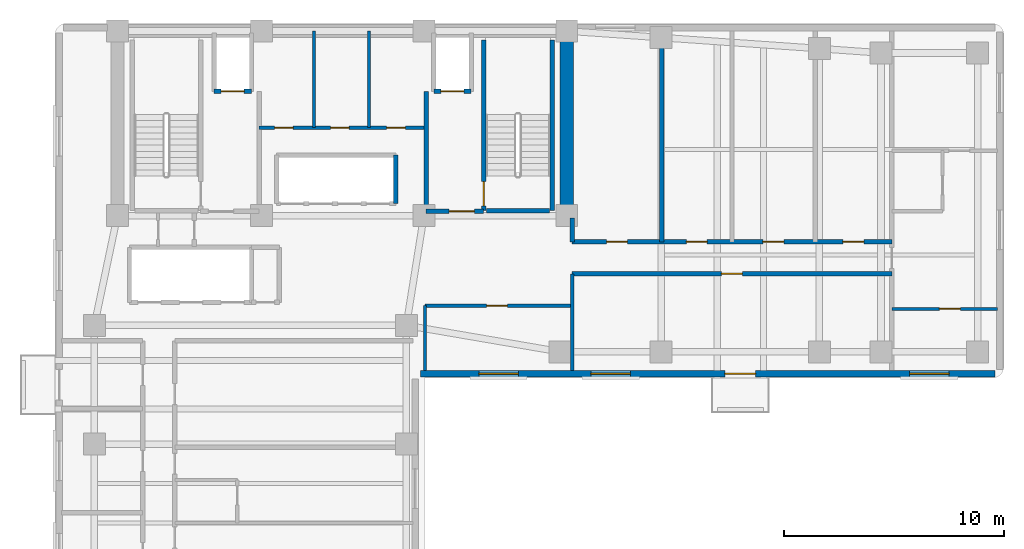
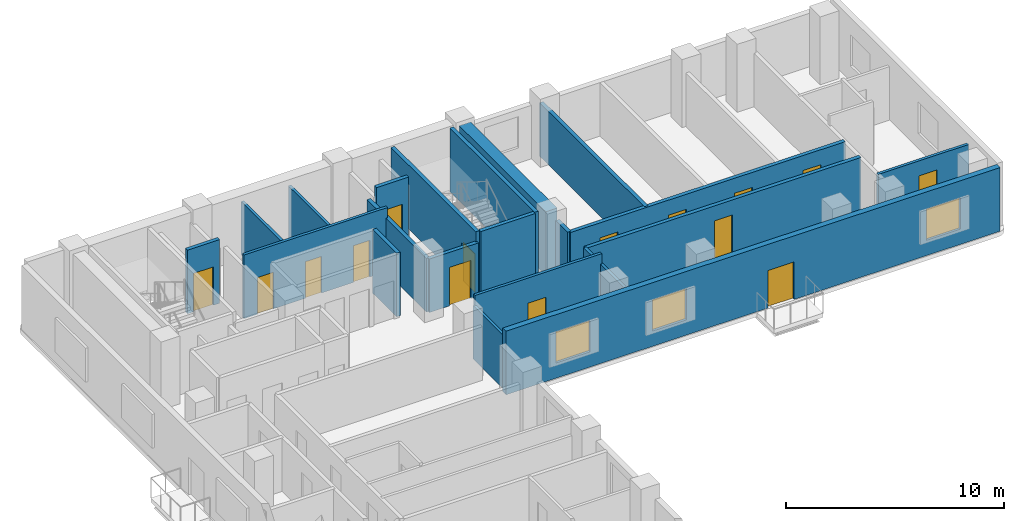
# One storey, part 4 of 7: 21 walls, 15 doors, 3 windows, 18 openings.
"""IFC4 building model written with IfcOpenShell, lengths in metres."""

from ifc_helpers import new_model, si_unit, direction, frame, frame_2d, origin, place, context, subcontext, project, spatial, rectangle, extrude, material, layer, layer_set, type_object, element, fill, save


model = new_model("IFC4")

# Units and contexts
model_context = context("Model", 3, precision=1e-05, world=origin(), true_north=direction((0.0, 1.0)))
body_context = subcontext(model_context, "Body", "Model", "MODEL_VIEW")
ifc_project = project(units=[si_unit("LENGTHUNIT", "METRE"), si_unit("AREAUNIT", "SQUARE_METRE"), si_unit("VOLUMEUNIT", "CUBIC_METRE"), si_unit("PLANEANGLEUNIT", "RADIAN"), si_unit("MASSUNIT", "GRAM", prefix="KILO")], contexts=[model_context])

# Site, building, storey
site_placement = place(None, origin())
site = spatial("IfcSite", under=ifc_project, at=site_placement, CompositionType="ELEMENT")
building_placement = place(site_placement, origin())
building = spatial("IfcBuilding", under=site, at=building_placement, Name="Kuzgunbayir Cultural Tower", CompositionType="ELEMENT")
storey_placement = place(building_placement, frame((0.0, 0.0, 152.199951171875)))
storey = spatial("IfcBuildingStorey", under=building, at=storey_placement, Name="L44", CompositionType="ELEMENT", Elevation=152.199951171875)

# Wall
ifc_material_1 = material(Name="Concrete C60/75", Category="concrete")
ifc_layer_1 = layer(ifc_material_1, 0.60009765625)
ifc_layer_set_1 = layer_set([ifc_layer_1], Name="Concrete C60/75")
wall_type_1 = type_object("IfcWallType", Name="WAL-CORE-600", PredefinedType="SHEAR", material=ifc_layer_set_1)
wall_1_placement = place(storey_placement, frame((26.89990234375, 33.800048828125, 0.0), z_axis=(0.0, 0.0, 1.0), x_axis=(0.0, 1.0, 0.0)))
element("IfcWall", 1, at=wall_1_placement, inside=storey, type_object=wall_type_1, Name="L44 T1 Core East Shear Wall", PredefinedType="SHEAR", context=body_context, shape_type="SweptSolid", body=[
    extrude(rectangle(XDim=7.949951171875, YDim=0.60009765625, at=frame_2d((3.97509765625, 0.0))), origin(), (0.0, 0.0, 1.0), 3.56005859375),
])

# Wall, openings, door, windows
ifc_material_2 = material(Name="Anatolian Cream Limestone", Category="masonry")
ifc_layer_2 = layer(ifc_material_2, 0.300048828125)
ifc_layer_set_2 = layer_set([ifc_layer_2], Name="Anatolian Cream Limestone")
wall_type_2 = type_object("IfcWallType", Name="WAL-EXT-STONE-300", PredefinedType="STANDARD", material=ifc_layer_set_2)
wall_2_placement = place(storey_placement, frame((20.25, 26.60009765625, 0.0), z_axis=(0.0, 0.0, 1.0), x_axis=(1.0, 0.0, 0.0)))
wall_2 = element("IfcWall", 2, at=wall_2_placement, inside=storey, type_object=wall_type_2, Name="L44 Wing B South Limestone Wall", PredefinedType="STANDARD", context=body_context, shape_type="SweptSolid", body=[
    extrude(rectangle(XDim=26.14990234375, YDim=0.300048828125, at=frame_2d((13.074951171875, 0.0))), origin(), (0.0, 0.0, 1.0), 3.56005859375),
])
opening_1_placement = place(wall_2_placement, frame((13.85009765625, 0.0, 0.0)))
opening_1 = element("IfcOpeningElement", 3, at=opening_1_placement, cuts=wall_2, Name="Opening BD-15", PredefinedType="OPENING", context=body_context, shape_type="SweptSolid", body=[
    extrude(rectangle(XDim=1.39990234375, YDim=2.10009765625, at=frame_2d((0.699951171875, 1.050048828125))), frame((0.0, 0.16015625, 0.0), z_axis=(0.0, -1.0, 0.0), x_axis=(1.0, 0.0, 0.0)), (0.0, 0.0, 1.0), 0.320068359375),
])
opening_2_placement = place(wall_2_placement, frame((2.64990234375, 0.0, 0.85009765625)))
opening_2 = element("IfcOpeningElement", 4, at=opening_2_placement, cuts=wall_2, Name="Opening WH-18", PredefinedType="OPENING", context=body_context, shape_type="SweptSolid", body=[
    extrude(rectangle(XDim=1.800048828125, YDim=1.75, at=frame_2d((0.89990234375, 0.875))), frame((0.0, 0.16015625, 0.0), z_axis=(0.0, -1.0, 0.0), x_axis=(1.0, 0.0, 0.0)), (0.0, 0.0, 1.0), 0.320068359375),
])
opening_3_placement = place(wall_2_placement, frame((7.75, 0.0, 0.85009765625)))
opening_3 = element("IfcOpeningElement", 5, at=opening_3_placement, cuts=wall_2, Name="Opening WH-18", PredefinedType="OPENING", context=body_context, shape_type="SweptSolid", body=[
    extrude(rectangle(XDim=1.800048828125, YDim=1.75, at=frame_2d((0.89990234375, 0.875))), frame((0.0, 0.16015625, 0.0), z_axis=(0.0, -1.0, 0.0), x_axis=(1.0, 0.0, 0.0)), (0.0, 0.0, 1.0), 0.320068359375),
])
opening_4_placement = place(wall_2_placement, frame((22.25, 0.0, 0.85009765625)))
opening_4 = element("IfcOpeningElement", 6, at=opening_4_placement, cuts=wall_2, Name="Opening WH-18", PredefinedType="OPENING", context=body_context, shape_type="SweptSolid", body=[
    extrude(rectangle(XDim=1.800048828125, YDim=1.75, at=frame_2d((0.89990234375, 0.875))), frame((0.0, 0.16015625, 0.0), z_axis=(0.0, -1.0, 0.0), x_axis=(1.0, 0.0, 0.0)), (0.0, 0.0, 1.0), 0.320068359375),
])
ifc_material_3 = material(Name="Thermally Broken Glazed Aluminium", Category="aluminium")
door_type_1 = type_object("IfcDoorType", Name="DR-BALCONY-150", OperationType="SLIDING_TO_RIGHT", PredefinedType="DOOR", material=ifc_material_3)
door_1_placement = place(opening_1_placement, origin())
door_1 = element("IfcDoor", 7, at=door_1_placement, inside=storey, type_object=door_type_1, Name="L44 South Balcony Sliding Door BAL-L44-WB2", OperationType="SLIDING_TO_RIGHT", OverallHeight=2.10009765625, OverallWidth=1.39990234375, PredefinedType="DOOR", context=body_context, shape_type="SweptSolid", body=[
    extrude(rectangle(XDim=1.39990234375, YDim=2.10009765625, at=frame_2d((0.699951171875, 1.050048828125))), frame((0.0, 0.02490234375, 0.0), z_axis=(0.0, -1.0, 0.0), x_axis=(1.0, 0.0, 0.0)), (0.0, 0.0, 1.0), 0.050048828125),
])
fill(opening_1, door_1)
ifc_material_4 = material(Name="Solar-Control Triple Glazing", Category="glass")
window_type = type_object("IfcWindowType", Name="WIN-HOTEL-18", PartitioningType="SINGLE_PANEL", PredefinedType="WINDOW", material=ifc_material_4)
window_1_placement = place(opening_2_placement, origin())
window_1 = element("IfcWindow", 8, at=window_1_placement, inside=storey, type_object=window_type, Name="L44 WBS Facade Window 1", OverallHeight=1.75, OverallWidth=1.800048828125, PartitioningType="SINGLE_PANEL", PredefinedType="WINDOW", context=body_context, shape_type="SweptSolid", body=[
    extrude(rectangle(XDim=1.800048828125, YDim=1.75, at=frame_2d((0.89990234375, 0.875))), frame((0.0, 0.030029296875, 0.0), z_axis=(0.0, -1.0, 0.0), x_axis=(1.0, 0.0, 0.0)), (0.0, 0.0, 1.0), 0.06005859375),
])
fill(opening_2, window_1)
window_2_placement = place(opening_3_placement, origin())
window_2 = element("IfcWindow", 9, at=window_2_placement, inside=storey, type_object=window_type, Name="L44 WBS Facade Window 14", OverallHeight=1.75, OverallWidth=1.800048828125, PartitioningType="SINGLE_PANEL", PredefinedType="WINDOW", context=body_context, shape_type="SweptSolid", body=[
    extrude(rectangle(XDim=1.800048828125, YDim=1.75, at=frame_2d((0.89990234375, 0.875))), frame((0.0, 0.030029296875, 0.0), z_axis=(0.0, -1.0, 0.0), x_axis=(1.0, 0.0, 0.0)), (0.0, 0.0, 1.0), 0.06005859375),
])
fill(opening_3, window_2)
window_3_placement = place(opening_4_placement, origin())
window_3 = element("IfcWindow", 10, at=window_3_placement, inside=storey, type_object=window_type, Name="L44 WBS Facade Window 15", OverallHeight=1.75, OverallWidth=1.800048828125, PartitioningType="SINGLE_PANEL", PredefinedType="WINDOW", context=body_context, shape_type="SweptSolid", body=[
    extrude(rectangle(XDim=1.800048828125, YDim=1.75, at=frame_2d((0.89990234375, 0.875))), frame((0.0, 0.030029296875, 0.0), z_axis=(0.0, -1.0, 0.0), x_axis=(1.0, 0.0, 0.0)), (0.0, 0.0, 1.0), 0.06005859375),
])
fill(opening_4, window_3)

# Wall, openings, doors
ifc_material_5 = material(Name="Acoustic Double-Stud Drywall", Category="gypsum")
ifc_layer_3 = layer(ifc_material_5, 0.14990234375)
ifc_layer_set_3 = layer_set([ifc_layer_3], Name="Acoustic Double-Stud Drywall")
wall_type_3 = type_object("IfcWallType", Name="WAL-PART-ACOUSTIC-150", PredefinedType="PARTITIONING", material=ifc_layer_set_3)
wall_3_placement = place(storey_placement, frame((12.89990234375, 37.800048828125, 0.0), z_axis=(0.0, 0.0, 1.0), x_axis=(1.0, 0.0, 0.0)))
wall_3 = element("IfcWall", 11, at=wall_3_placement, inside=storey, type_object=wall_type_3, Name="L44 Repurposed Core Suite Wall", PredefinedType="PARTITIONING", context=body_context, shape_type="SweptSolid", body=[
    extrude(rectangle(XDim=7.60009765625, YDim=0.14990234375, at=frame_2d((3.800048828125, 0.0))), origin(), (0.0, 0.0, 1.0), 3.56005859375),
])
opening_5_placement = place(wall_3_placement, frame((0.699951171875, 0.0, 0.0)))
opening_5 = element("IfcOpeningElement", 12, at=opening_5_placement, cuts=wall_3, Name="Opening DC-85", PredefinedType="OPENING", context=body_context, shape_type="SweptSolid", body=[
    extrude(rectangle(XDim=0.85009765625, YDim=2.050048828125, at=frame_2d((0.425048828125, 1.02490234375))), frame((0.0, 0.0849609375, 0.0), z_axis=(0.0, -1.0, 0.0), x_axis=(1.0, 0.0, 0.0)), (0.0, 0.0, 1.0), 0.169921875),
])
opening_6_placement = place(wall_3_placement, frame((3.25, 0.0, 0.0)))
opening_6 = element("IfcOpeningElement", 13, at=opening_6_placement, cuts=wall_3, Name="Opening DC-85", PredefinedType="OPENING", context=body_context, shape_type="SweptSolid", body=[
    extrude(rectangle(XDim=0.85009765625, YDim=2.050048828125, at=frame_2d((0.425048828125, 1.02490234375))), frame((0.0, 0.0849609375, 0.0), z_axis=(0.0, -1.0, 0.0), x_axis=(1.0, 0.0, 0.0)), (0.0, 0.0, 1.0), 0.169921875),
])
opening_7_placement = place(wall_3_placement, frame((5.800048828125, 0.0, 0.0)))
opening_7 = element("IfcOpeningElement", 14, at=opening_7_placement, cuts=wall_3, Name="Opening DC-85", PredefinedType="OPENING", context=body_context, shape_type="SweptSolid", body=[
    extrude(rectangle(XDim=0.85009765625, YDim=2.050048828125, at=frame_2d((0.425048828125, 1.02490234375))), frame((0.0, 0.0849609375, 0.0), z_axis=(0.0, -1.0, 0.0), x_axis=(1.0, 0.0, 0.0)), (0.0, 0.0, 1.0), 0.169921875),
])
ifc_material_6 = material(Name="Fire-Rated Veneered Oak Leaf", Category="wood")
door_type_2 = type_object("IfcDoorType", Name="DR-CORE-85", OperationType="NOTDEFINED", PredefinedType="DOOR", material=ifc_material_6)
door_2_placement = place(opening_5_placement, origin())
door_2 = element("IfcDoor", 15, at=door_2_placement, inside=storey, type_object=door_type_2, Name="L44 Phone Booth Door", OperationType="SINGLE_SWING_RIGHT", OverallHeight=2.050048828125, OverallWidth=0.85009765625, PredefinedType="DOOR", context=body_context, shape_type="SweptSolid", body=[
    extrude(rectangle(XDim=0.85009765625, YDim=2.050048828125, at=frame_2d((0.425048828125, 1.02490234375))), frame((0.0, 0.02490234375, 0.0), z_axis=(0.0, -1.0, 0.0), x_axis=(1.0, 0.0, 0.0)), (0.0, 0.0, 1.0), 0.050048828125),
])
fill(opening_5, door_2)
door_3_placement = place(opening_6_placement, origin())
door_3 = element("IfcDoor", 16, at=door_3_placement, inside=storey, type_object=door_type_2, Name="L44 Pantry Alcove Door", OperationType="SINGLE_SWING_LEFT", OverallHeight=2.050048828125, OverallWidth=0.85009765625, PredefinedType="DOOR", context=body_context, shape_type="SweptSolid", body=[
    extrude(rectangle(XDim=0.85009765625, YDim=2.050048828125, at=frame_2d((0.425048828125, 1.02490234375))), frame((0.0, 0.02490234375, 0.0), z_axis=(0.0, -1.0, 0.0), x_axis=(1.0, 0.0, 0.0)), (0.0, 0.0, 1.0), 0.050048828125),
])
fill(opening_6, door_3)
door_4_placement = place(opening_7_placement, origin())
door_4 = element("IfcDoor", 17, at=door_4_placement, inside=storey, type_object=door_type_2, Name="L44 Telecom Closet Door", OperationType="SINGLE_SWING_RIGHT", OverallHeight=2.050048828125, OverallWidth=0.85009765625, PredefinedType="DOOR", context=body_context, shape_type="SweptSolid", body=[
    extrude(rectangle(XDim=0.85009765625, YDim=2.050048828125, at=frame_2d((0.425048828125, 1.02490234375))), frame((0.0, 0.02490234375, 0.0), z_axis=(0.0, -1.0, 0.0), x_axis=(1.0, 0.0, 0.0)), (0.0, 0.0, 1.0), 0.050048828125),
])
fill(opening_7, door_4)

# Walls
for number, where, z_axis, x_axis, name in (
    (18, (15.39990234375, 37.800048828125, 0.0), (0.0, 0.0, 1.0), (0.0, 1.0, 0.0), "L44 Core Pod Partition 1"),
    (19, (17.89990234375, 37.800048828125, 0.0), (0.0, 0.0, 1.0), (0.0, 1.0, 0.0), "L44 Core Pod Partition 2"),
):
    element("IfcWall", number, at=place(storey_placement, frame(where, z_axis=z_axis, x_axis=x_axis)), inside=storey, type_object=wall_type_3, Name=name, PredefinedType="PARTITIONING", context=body_context, shape_type="SweptSolid", body=[
        extrude(rectangle(XDim=4.39990234375, YDim=0.14990234375, at=frame_2d((2.199951171875, 0.0))), origin(), (0.0, 0.0, 1.0), 2.989990234375),
    ])

# Wall, opening, door
wall_4_placement = place(storey_placement, frame((20.449951171875, 29.699951171875, 0.0), z_axis=(0.0, 0.0, 1.0), x_axis=(1.0, 0.0, 0.0)))
wall_4 = element("IfcWall", 20, at=wall_4_placement, inside=storey, type_object=wall_type_3, Name="L44 Waist Alcove North Wall", PredefinedType="PARTITIONING", context=body_context, shape_type="SweptSolid", body=[
    extrude(rectangle(XDim=6.699951171875, YDim=0.14990234375, at=frame_2d((3.35009765625, 0.0))), origin(), (0.0, 0.0, 1.0), 3.56005859375),
])
opening_8_placement = place(wall_4_placement, frame((2.800048828125, 0.0, 0.0)))
opening_8 = element("IfcOpeningElement", 21, at=opening_8_placement, cuts=wall_4, Name="Opening DI-90", PredefinedType="OPENING", context=body_context, shape_type="SweptSolid", body=[
    extrude(rectangle(XDim=0.949951171875, YDim=2.14990234375, at=frame_2d((0.47509765625, 1.074951171875))), frame((0.0, 0.0849609375, 0.0), z_axis=(0.0, -1.0, 0.0), x_axis=(1.0, 0.0, 0.0)), (0.0, 0.0, 1.0), 0.169921875),
])
ifc_material_7 = material(Name="Veneered Oak Single Leaf", Category="wood")
door_type_3 = type_object("IfcDoorType", Name="DR-INT-90", OperationType="NOTDEFINED", PredefinedType="DOOR", material=ifc_material_7)
door_5_placement = place(opening_8_placement, origin())
door_5 = element("IfcDoor", 22, at=door_5_placement, inside=storey, type_object=door_type_3, Name="L44 Waist Alcove Door", OperationType="SINGLE_SWING_RIGHT", OverallHeight=2.14990234375, OverallWidth=0.949951171875, PredefinedType="DOOR", context=body_context, shape_type="SweptSolid", body=[
    extrude(rectangle(XDim=0.949951171875, YDim=2.14990234375, at=frame_2d((0.47509765625, 1.074951171875))), frame((0.0, 0.02490234375, 0.0), z_axis=(0.0, -1.0, 0.0), x_axis=(1.0, 0.0, 0.0)), (0.0, 0.0, 1.0), 0.050048828125),
])
fill(opening_8, door_5)

# Walls
wall_5_placement = place(storey_placement, frame((20.449951171875, 26.75, 0.0), z_axis=(0.0, 0.0, 1.0), x_axis=(0.0, 1.0, 0.0)))
element("IfcWall", 23, at=wall_5_placement, inside=storey, type_object=wall_type_3, Name="L44 Waist Alcove West Wall", PredefinedType="PARTITIONING", context=body_context, shape_type="SweptSolid", body=[
    extrude(rectangle(XDim=2.949951171875, YDim=0.14990234375, at=frame_2d((1.47509765625, 0.0))), origin(), (0.0, 0.0, 1.0), 2.989990234375),
])
wall_6_placement = place(storey_placement, frame((27.14990234375, 26.75, 0.0), z_axis=(0.0, 0.0, 1.0), x_axis=(0.0, 1.0, 0.0)))
element("IfcWall", 24, at=wall_6_placement, inside=storey, type_object=wall_type_3, Name="L44 Waist Alcove East Wall", PredefinedType="PARTITIONING", context=body_context, shape_type="SweptSolid", body=[
    extrude(rectangle(XDim=4.39990234375, YDim=0.14990234375, at=frame_2d((2.199951171875, 0.0))), origin(), (0.0, 0.0, 1.0), 2.989990234375),
])
ifc_material_8 = material(Name="Aerated Concrete Blockwork", Category="masonry")
ifc_layer_4 = layer(ifc_material_8, 0.199951171875)
ifc_layer_set_4 = layer_set([ifc_layer_4], Name="Aerated Concrete Blockwork")
wall_type_4 = type_object("IfcWallType", Name="WAL-PART-FIRE-200", PredefinedType="PARTITIONING", material=ifc_layer_set_4)
wall_7_placement = place(storey_placement, frame((20.5, 34.0, 0.0), z_axis=(0.0, 0.0, 1.0), x_axis=(0.0, 1.0, 0.0)))
element("IfcWall", 25, at=wall_7_placement, inside=storey, type_object=wall_type_4, Name="L44 FFL-2 Lobby West Fire Wall", PredefinedType="PARTITIONING", context=body_context, shape_type="SweptSolid", body=[
    extrude(rectangle(XDim=5.449951171875, YDim=0.199951171875, at=frame_2d((2.72509765625, 0.0))), origin(), (0.0, 0.0, 1.0), 2.989990234375),
])

# Wall, opening, door
wall_8_placement = place(storey_placement, frame((20.5, 34.0, 0.0), z_axis=(0.0, 0.0, 1.0), x_axis=(1.0, 0.0, 0.0)))
wall_8 = element("IfcWall", 26, at=wall_8_placement, inside=storey, type_object=wall_type_4, Name="L44 FFL-2 Lobby South Fire Wall", PredefinedType="PARTITIONING", context=body_context, shape_type="SweptSolid", body=[
    extrude(rectangle(XDim=2.60009765625, YDim=0.199951171875, at=frame_2d((1.300048828125, 0.0))), origin(), (0.0, 0.0, 1.0), 2.989990234375),
])
opening_9_placement = place(wall_8_placement, frame((1.050048828125, 0.0, 0.0)))
opening_9 = element("IfcOpeningElement", 27, at=opening_9_placement, cuts=wall_8, Name="Opening DR-FFL-90", PredefinedType="OPENING", context=body_context, shape_type="SweptSolid", body=[
    extrude(rectangle(XDim=1.14990234375, YDim=2.14990234375, at=frame_2d((0.574951171875, 1.074951171875))), frame((0.0, 0.10986328125, 0.0), z_axis=(0.0, -1.0, 0.0), x_axis=(1.0, 0.0, 0.0)), (0.0, 0.0, 1.0), 0.219970703125),
])
ifc_material_9 = material(Name="Steel S355J2", Category="steel")
door_type_4 = type_object("IfcDoorType", Name="DR-FFL-90", OperationType="NOTDEFINED", PredefinedType="DOOR", material=ifc_material_9)
door_6_placement = place(opening_9_placement, origin())
door_6 = element("IfcDoor", 28, at=door_6_placement, inside=storey, type_object=door_type_4, Name="L44 Firefighting Lobby 2 Door", OperationType="SINGLE_SWING_RIGHT", OverallHeight=2.14990234375, OverallWidth=1.14990234375, PredefinedType="DOOR", context=body_context, shape_type="SweptSolid", body=[
    extrude(rectangle(XDim=1.14990234375, YDim=2.14990234375, at=frame_2d((0.574951171875, 1.074951171875))), frame((0.0, 0.02490234375, 0.0), z_axis=(0.0, -1.0, 0.0), x_axis=(1.0, 0.0, 0.0)), (0.0, 0.0, 1.0), 0.050048828125),
])
fill(opening_9, door_6)

wall_9_placement = place(storey_placement, frame((27.14990234375, 31.14990234375, 0.0), z_axis=(0.0, 0.0, 1.0), x_axis=(1.0, 0.0, 0.0)))
wall_9 = element("IfcWall", 29, at=wall_9_placement, inside=storey, type_object=wall_type_4, Name="L44 Wing B Hotel Corridor South Wall", PredefinedType="PARTITIONING", context=body_context, shape_type="SweptSolid", body=[
    extrude(rectangle(XDim=14.550048828125, YDim=0.199951171875, at=frame_2d((7.27490234375, 0.0))), origin(), (0.0, 0.0, 1.0), 2.989990234375),
])
opening_10_placement = place(wall_9_placement, frame((6.7900390625, 0.0, 0.0)))
opening_10 = element("IfcOpeningElement", 30, at=opening_10_placement, cuts=wall_9, Name="Opening DI-90", PredefinedType="OPENING", context=body_context, shape_type="SweptSolid", body=[
    extrude(rectangle(XDim=0.949951171875, YDim=2.14990234375, at=frame_2d((0.47509765625, 1.074951171875))), frame((0.0, 0.10986328125, 0.0), z_axis=(0.0, -1.0, 0.0), x_axis=(1.0, 0.0, 0.0)), (0.0, 0.0, 1.0), 0.219970703125),
])
door_7_placement = place(opening_10_placement, origin())
door_7 = element("IfcDoor", 31, at=door_7_placement, inside=storey, type_object=door_type_3, Name="L44 Wellness Consultation Studio B1 Door", OperationType="SINGLE_SWING_LEFT", OverallHeight=2.14990234375, OverallWidth=0.949951171875, PredefinedType="DOOR", context=body_context, shape_type="SweptSolid", body=[
    extrude(rectangle(XDim=0.949951171875, YDim=2.14990234375, at=frame_2d((0.47509765625, 1.074951171875))), frame((0.0, 0.02490234375, 0.0), z_axis=(0.0, -1.0, 0.0), x_axis=(1.0, 0.0, 0.0)), (0.0, 0.0, 1.0), 0.050048828125),
])
fill(opening_10, door_7)

# Wall, openings, doors
wall_10_placement = place(storey_placement, frame((27.14990234375, 32.60009765625, 0.0), z_axis=(0.0, 0.0, 1.0), x_axis=(1.0, 0.0, 0.0)))
wall_10 = element("IfcWall", 32, at=wall_10_placement, inside=storey, type_object=wall_type_4, Name="L44 Wing B Hotel Corridor North Wall", PredefinedType="PARTITIONING", context=body_context, shape_type="SweptSolid", body=[
    extrude(rectangle(XDim=14.550048828125, YDim=0.199951171875, at=frame_2d((7.27490234375, 0.0))), origin(), (0.0, 0.0, 1.0), 2.989990234375),
])
opening_11_placement = place(wall_10_placement, frame((1.56005859375, 0.0, 0.0)))
opening_11 = element("IfcOpeningElement", 33, at=opening_11_placement, cuts=wall_10, Name="Opening DI-90", PredefinedType="OPENING", context=body_context, shape_type="SweptSolid", body=[
    extrude(rectangle(XDim=0.949951171875, YDim=2.14990234375, at=frame_2d((0.47509765625, 1.074951171875))), frame((0.0, 0.10986328125, 0.0), z_axis=(0.0, -1.0, 0.0), x_axis=(1.0, 0.0, 0.0)), (0.0, 0.0, 1.0), 0.219970703125),
])
opening_12_placement = place(wall_10_placement, frame((5.18994140625, 0.0, 0.0)))
opening_12 = element("IfcOpeningElement", 34, at=opening_12_placement, cuts=wall_10, Name="Opening DI-90", PredefinedType="OPENING", context=body_context, shape_type="SweptSolid", body=[
    extrude(rectangle(XDim=0.949951171875, YDim=2.14990234375, at=frame_2d((0.47509765625, 1.074951171875))), frame((0.0, 0.10986328125, 0.0), z_axis=(0.0, -1.0, 0.0), x_axis=(1.0, 0.0, 0.0)), (0.0, 0.0, 1.0), 0.219970703125),
])
opening_13_placement = place(wall_10_placement, frame((8.679931640625, 0.0, 0.0)))
opening_13 = element("IfcOpeningElement", 35, at=opening_13_placement, cuts=wall_10, Name="Opening DI-90", PredefinedType="OPENING", context=body_context, shape_type="SweptSolid", body=[
    extrude(rectangle(XDim=0.949951171875, YDim=2.14990234375, at=frame_2d((0.47509765625, 1.074951171875))), frame((0.0, 0.10986328125, 0.0), z_axis=(0.0, -1.0, 0.0), x_axis=(1.0, 0.0, 0.0)), (0.0, 0.0, 1.0), 0.219970703125),
])
opening_14_placement = place(wall_10_placement, frame((12.320068359375, 0.0, 0.0)))
opening_14 = element("IfcOpeningElement", 36, at=opening_14_placement, cuts=wall_10, Name="Opening DI-90", PredefinedType="OPENING", context=body_context, shape_type="SweptSolid", body=[
    extrude(rectangle(XDim=0.949951171875, YDim=2.14990234375, at=frame_2d((0.47509765625, 1.074951171875))), frame((0.0, 0.10986328125, 0.0), z_axis=(0.0, -1.0, 0.0), x_axis=(1.0, 0.0, 0.0)), (0.0, 0.0, 1.0), 0.219970703125),
])
door_8_placement = place(opening_11_placement, origin())
door_8 = element("IfcDoor", 37, at=door_8_placement, inside=storey, type_object=door_type_3, Name="L44 North Wellness Consultation Studio 1 Door", OperationType="SINGLE_SWING_RIGHT", OverallHeight=2.14990234375, OverallWidth=0.949951171875, PredefinedType="DOOR", context=body_context, shape_type="SweptSolid", body=[
    extrude(rectangle(XDim=0.949951171875, YDim=2.14990234375, at=frame_2d((0.47509765625, 1.074951171875))), frame((0.0, 0.02490234375, 0.0), z_axis=(0.0, -1.0, 0.0), x_axis=(1.0, 0.0, 0.0)), (0.0, 0.0, 1.0), 0.050048828125),
])
fill(opening_11, door_8)
door_9_placement = place(opening_12_placement, origin())
door_9 = element("IfcDoor", 38, at=door_9_placement, inside=storey, type_object=door_type_3, Name="L44 North Fellows Reading Lounge 2 Door", OperationType="SINGLE_SWING_LEFT", OverallHeight=2.14990234375, OverallWidth=0.949951171875, PredefinedType="DOOR", context=body_context, shape_type="SweptSolid", body=[
    extrude(rectangle(XDim=0.949951171875, YDim=2.14990234375, at=frame_2d((0.47509765625, 1.074951171875))), frame((0.0, 0.02490234375, 0.0), z_axis=(0.0, -1.0, 0.0), x_axis=(1.0, 0.0, 0.0)), (0.0, 0.0, 1.0), 0.050048828125),
])
fill(opening_12, door_9)
door_10_placement = place(opening_13_placement, origin())
door_10 = element("IfcDoor", 39, at=door_10_placement, inside=storey, type_object=door_type_3, Name="L44 North Curatorial Office 3 Door", OperationType="SINGLE_SWING_RIGHT", OverallHeight=2.14990234375, OverallWidth=0.949951171875, PredefinedType="DOOR", context=body_context, shape_type="SweptSolid", body=[
    extrude(rectangle(XDim=0.949951171875, YDim=2.14990234375, at=frame_2d((0.47509765625, 1.074951171875))), frame((0.0, 0.02490234375, 0.0), z_axis=(0.0, -1.0, 0.0), x_axis=(1.0, 0.0, 0.0)), (0.0, 0.0, 1.0), 0.050048828125),
])
fill(opening_13, door_10)
door_11_placement = place(opening_14_placement, origin())
door_11 = element("IfcDoor", 40, at=door_11_placement, inside=storey, type_object=door_type_3, Name="L44 North Seminar Boardroom 4 Door", OperationType="SINGLE_SWING_LEFT", OverallHeight=2.14990234375, OverallWidth=0.949951171875, PredefinedType="DOOR", context=body_context, shape_type="SweptSolid", body=[
    extrude(rectangle(XDim=0.949951171875, YDim=2.14990234375, at=frame_2d((0.47509765625, 1.074951171875))), frame((0.0, 0.02490234375, 0.0), z_axis=(0.0, -1.0, 0.0), x_axis=(1.0, 0.0, 0.0)), (0.0, 0.0, 1.0), 0.050048828125),
])
fill(opening_14, door_11)

# Walls
wall_11_placement = place(storey_placement, frame((27.14990234375, 32.60009765625, 0.0), z_axis=(0.0, 0.0, 1.0), x_axis=(0.0, 1.0, 0.0)))
element("IfcWall", 41, at=wall_11_placement, inside=storey, type_object=wall_type_4, Name="L44 Wing B North Core Closure Wall", PredefinedType="PARTITIONING", context=body_context, shape_type="SweptSolid", body=[
    extrude(rectangle(XDim=1.079833984375, YDim=0.199951171875, at=frame_2d((0.5400390625, 0.0))), origin(), (0.0, 0.0, 1.0), 2.989990234375),
])
wall_12_placement = place(storey_placement, frame((31.219970703125, 32.60009765625, 0.0), z_axis=(0.0, 0.0, 1.0), x_axis=(0.0, 1.0, 0.0)))
element("IfcWall", 42, at=wall_12_placement, inside=storey, type_object=wall_type_4, Name="L44 Wing B North Party Wall 1", PredefinedType="PARTITIONING", context=body_context, shape_type="SweptSolid", body=[
    extrude(rectangle(XDim=9.599853515625, YDim=0.199951171875, at=frame_2d((4.7998046875, 0.0))), origin(), (0.0, 0.0, 1.0), 2.989990234375),
])

# Wall, opening, door
ifc_material_10 = material(Name="Moisture-Resistant Tile Partition", Category="gypsum")
ifc_layer_5 = layer(ifc_material_10, 0.14990234375)
ifc_layer_set_5 = layer_set([ifc_layer_5], Name="Moisture-Resistant Tile Partition")
wall_type_5 = type_object("IfcWallType", Name="WAL-PART-WET-150", PredefinedType="PARTITIONING", material=ifc_layer_set_5)
wall_13_placement = place(storey_placement, frame((41.699951171875, 29.550048828125, 0.0), z_axis=(0.0, 0.0, 1.0), x_axis=(1.0, 0.0, 0.0)))
wall_13 = element("IfcWall", 43, at=wall_13_placement, inside=storey, type_object=wall_type_5, Name="L44 Corner Suite Kitchen Wall", PredefinedType="PARTITIONING", context=body_context, shape_type="SweptSolid", body=[
    extrude(rectangle(XDim=4.800048828125, YDim=0.14990234375, at=frame_2d((2.39990234375, 0.0))), origin(), (0.0, 0.0, 1.0), 2.989990234375),
])
opening_15_placement = place(wall_13_placement, frame((2.159912109375, 0.0, 0.0)))
opening_15 = element("IfcOpeningElement", 44, at=opening_15_placement, cuts=wall_13, Name="Opening DI-90", PredefinedType="OPENING", context=body_context, shape_type="SweptSolid", body=[
    extrude(rectangle(XDim=0.949951171875, YDim=2.14990234375, at=frame_2d((0.47509765625, 1.074951171875))), frame((0.0, 0.0849609375, 0.0), z_axis=(0.0, -1.0, 0.0), x_axis=(1.0, 0.0, 0.0)), (0.0, 0.0, 1.0), 0.169921875),
])
door_12_placement = place(opening_15_placement, origin())
door_12 = element("IfcDoor", 45, at=door_12_placement, inside=storey, type_object=door_type_3, Name="L44 Corner Suite Kitchen Door", OperationType="SINGLE_SWING_RIGHT", OverallHeight=2.14990234375, OverallWidth=0.949951171875, PredefinedType="DOOR", context=body_context, shape_type="SweptSolid", body=[
    extrude(rectangle(XDim=0.949951171875, YDim=2.14990234375, at=frame_2d((0.47509765625, 1.074951171875))), frame((0.0, 0.02490234375, 0.0), z_axis=(0.0, -1.0, 0.0), x_axis=(1.0, 0.0, 0.0)), (0.0, 0.0, 1.0), 0.050048828125),
])
fill(opening_15, door_12)

ifc_material_11 = material(Name="Concrete C40/50", Category="concrete")
ifc_layer_6 = layer(ifc_material_11, 0.199951171875)
ifc_layer_set_6 = layer_set([ifc_layer_6], Name="Concrete C40/50")
wall_type_6 = type_object("IfcWallType", Name="WAL-SHAFT-200", PredefinedType="MOVABLE", material=ifc_layer_set_6)
wall_14_placement = place(storey_placement, frame((10.85009765625, 39.449951171875, 0.0), z_axis=(0.0, 0.0, 1.0), x_axis=(1.0, 0.0, 0.0)))
wall_14 = element("IfcWall", 46, at=wall_14_placement, inside=storey, type_object=wall_type_6, Name="L44 FFL-1 Lift Front Wall", PredefinedType="MOVABLE", context=body_context, shape_type="SweptSolid", body=[
    extrude(rectangle(XDim=1.699951171875, YDim=0.199951171875, at=frame_2d((0.85009765625, 0.0))), origin(), (0.0, 0.0, 1.0), 3.56005859375),
])
opening_16_placement = place(wall_14_placement, frame((0.320068359375, 0.0, 0.0)))
opening_16 = element("IfcOpeningElement", 47, at=opening_16_placement, cuts=wall_14, Name="Opening LD", PredefinedType="OPENING", context=body_context, shape_type="SweptSolid", body=[
    extrude(rectangle(XDim=1.050048828125, YDim=2.14990234375, at=frame_2d((0.52490234375, 1.074951171875))), frame((0.0, 0.10986328125, 0.0), z_axis=(0.0, -1.0, 0.0), x_axis=(1.0, 0.0, 0.0)), (0.0, 0.0, 1.0), 0.219970703125),
])
ifc_material_12 = material(Name="Brushed Stainless Steel", Category="steel")
door_type_5 = type_object("IfcDoorType", Name="DR-LIFT-LANDING", OperationType="SLIDING_TO_LEFT", PredefinedType="DOOR", material=ifc_material_12)
door_13_placement = place(opening_16_placement, origin())
door_13 = element("IfcDoor", 48, at=door_13_placement, inside=storey, type_object=door_type_5, Name="L44 Lift FFL-1 Landing Door", OperationType="SLIDING_TO_LEFT", OverallHeight=2.14990234375, OverallWidth=1.050048828125, PredefinedType="DOOR", context=body_context, shape_type="SweptSolid", body=[
    extrude(rectangle(XDim=1.050048828125, YDim=2.14990234375, at=frame_2d((0.52490234375, 1.074951171875))), frame((0.0, 0.02490234375, 0.0), z_axis=(0.0, -1.0, 0.0), x_axis=(1.0, 0.0, 0.0)), (0.0, 0.0, 1.0), 0.050048828125),
])
fill(opening_16, door_13)

wall_15_placement = place(storey_placement, frame((20.85009765625, 39.449951171875, 0.0), z_axis=(0.0, 0.0, 1.0), x_axis=(1.0, 0.0, 0.0)))
wall_15 = element("IfcWall", 49, at=wall_15_placement, inside=storey, type_object=wall_type_6, Name="L44 FFL-2 Lift Front Wall", PredefinedType="MOVABLE", context=body_context, shape_type="SweptSolid", body=[
    extrude(rectangle(XDim=1.699951171875, YDim=0.199951171875, at=frame_2d((0.85009765625, 0.0))), origin(), (0.0, 0.0, 1.0), 3.56005859375),
])
opening_17_placement = place(wall_15_placement, frame((0.320068359375, 0.0, 0.0)))
opening_17 = element("IfcOpeningElement", 50, at=opening_17_placement, cuts=wall_15, Name="Opening LD", PredefinedType="OPENING", context=body_context, shape_type="SweptSolid", body=[
    extrude(rectangle(XDim=1.050048828125, YDim=2.14990234375, at=frame_2d((0.52490234375, 1.074951171875))), frame((0.0, 0.10986328125, 0.0), z_axis=(0.0, -1.0, 0.0), x_axis=(1.0, 0.0, 0.0)), (0.0, 0.0, 1.0), 0.219970703125),
])
door_14_placement = place(opening_17_placement, origin())
door_14 = element("IfcDoor", 51, at=door_14_placement, inside=storey, type_object=door_type_5, Name="L44 Lift FFL-2 Landing Door", OperationType="SLIDING_TO_LEFT", OverallHeight=2.14990234375, OverallWidth=1.050048828125, PredefinedType="DOOR", context=body_context, shape_type="SweptSolid", body=[
    extrude(rectangle(XDim=1.050048828125, YDim=2.14990234375, at=frame_2d((0.52490234375, 1.074951171875))), frame((0.0, 0.02490234375, 0.0), z_axis=(0.0, -1.0, 0.0), x_axis=(1.0, 0.0, 0.0)), (0.0, 0.0, 1.0), 0.050048828125),
])
fill(opening_17, door_14)

# Wall
wall_16_placement = place(storey_placement, frame((19.1201171875, 34.35009765625, 0.0), z_axis=(0.0, 0.0, 1.0), x_axis=(0.0, 1.0, 0.0)))
element("IfcWall", 52, at=wall_16_placement, inside=storey, type_object=wall_type_6, Name="L44 Mid-Rise Lift Shaft East Wall", PredefinedType="MOVABLE", context=body_context, shape_type="SweptSolid", body=[
    extrude(rectangle(XDim=2.199951171875, YDim=0.199951171875, at=frame_2d((1.10009765625, 0.0))), origin(), (0.0, 0.0, 1.0), 3.56005859375),
])

# Wall, opening, door
ifc_layer_7 = layer(ifc_material_11, 0.199951171875)
ifc_layer_set_7 = layer_set([ifc_layer_7], Name="Concrete C40/50")
wall_type_7 = type_object("IfcWallType", Name="WAL-STAIR-RC-200", PredefinedType="SHEAR", material=ifc_layer_set_7)
wall_17_placement = place(storey_placement, frame((23.1201171875, 34.02001953125, 0.0), z_axis=(0.0, 0.0, 1.0), x_axis=(0.0, 1.0, 0.0)))
wall_17 = element("IfcWall", 53, at=wall_17_placement, inside=storey, type_object=wall_type_7, Name="L44 Stair ST-2 West Structural Wall", PredefinedType="SHEAR", context=body_context, shape_type="SweptSolid", body=[
    extrude(rectangle(XDim=7.780029296875, YDim=0.199951171875, at=frame_2d((3.89013671875, 0.0))), origin(), (0.0, 0.0, 1.0), 3.56005859375),
])
opening_18_placement = place(wall_17_placement, frame((0.219970703125, 0.0, 0.0)))
opening_18 = element("IfcOpeningElement", 54, at=opening_18_placement, cuts=wall_17, Name="Opening DR-STAIR-90", PredefinedType="OPENING", context=body_context, shape_type="SweptSolid", body=[
    extrude(rectangle(XDim=1.10009765625, YDim=2.14990234375, at=frame_2d((0.550048828125, 1.074951171875))), frame((0.0, 0.10986328125, 0.0), z_axis=(0.0, -1.0, 0.0), x_axis=(1.0, 0.0, 0.0)), (0.0, 0.0, 1.0), 0.219970703125),
])
door_type_6 = type_object("IfcDoorType", Name="DR-STAIR-90", OperationType="NOTDEFINED", PredefinedType="DOOR", material=ifc_material_9)
door_15_placement = place(opening_18_placement, origin())
door_15 = element("IfcDoor", 55, at=door_15_placement, inside=storey, type_object=door_type_6, Name="L44 Stair ST-2 Fire Door", OperationType="SINGLE_SWING_RIGHT", OverallHeight=2.14990234375, OverallWidth=1.10009765625, PredefinedType="DOOR", context=body_context, shape_type="SweptSolid", body=[
    extrude(rectangle(XDim=1.10009765625, YDim=2.14990234375, at=frame_2d((0.550048828125, 1.074951171875))), frame((0.0, 0.02490234375, 0.0), z_axis=(0.0, -1.0, 0.0), x_axis=(1.0, 0.0, 0.0)), (0.0, 0.0, 1.0), 0.050048828125),
])
fill(opening_18, door_15)

# Walls
wall_18_placement = place(storey_placement, frame((26.239990234375, 34.02001953125, 0.0), z_axis=(0.0, 0.0, 1.0), x_axis=(0.0, 1.0, 0.0)))
element("IfcWall", 56, at=wall_18_placement, inside=storey, type_object=wall_type_7, Name="L44 Stair ST-2 East Structural Wall", PredefinedType="SHEAR", context=body_context, shape_type="SweptSolid", body=[
    extrude(rectangle(XDim=7.780029296875, YDim=0.199951171875, at=frame_2d((3.89013671875, 0.0))), origin(), (0.0, 0.0, 1.0), 3.56005859375),
])
wall_19_placement = place(storey_placement, frame((23.239990234375, 34.02001953125, 0.0), z_axis=(0.0, 0.0, 1.0), x_axis=(1.0, 0.0, 0.0)))
element("IfcWall", 57, at=wall_19_placement, inside=storey, type_object=wall_type_7, Name="L44 Stair ST-2 South Structural Wall", PredefinedType="SHEAR", context=body_context, shape_type="SweptSolid", body=[
    extrude(rectangle(XDim=2.880126953125, YDim=0.199951171875, at=frame_2d((1.43994140625, 0.0))), origin(), (0.0, 0.0, 1.0), 3.56005859375),
])

save(model, "model.ifc")
